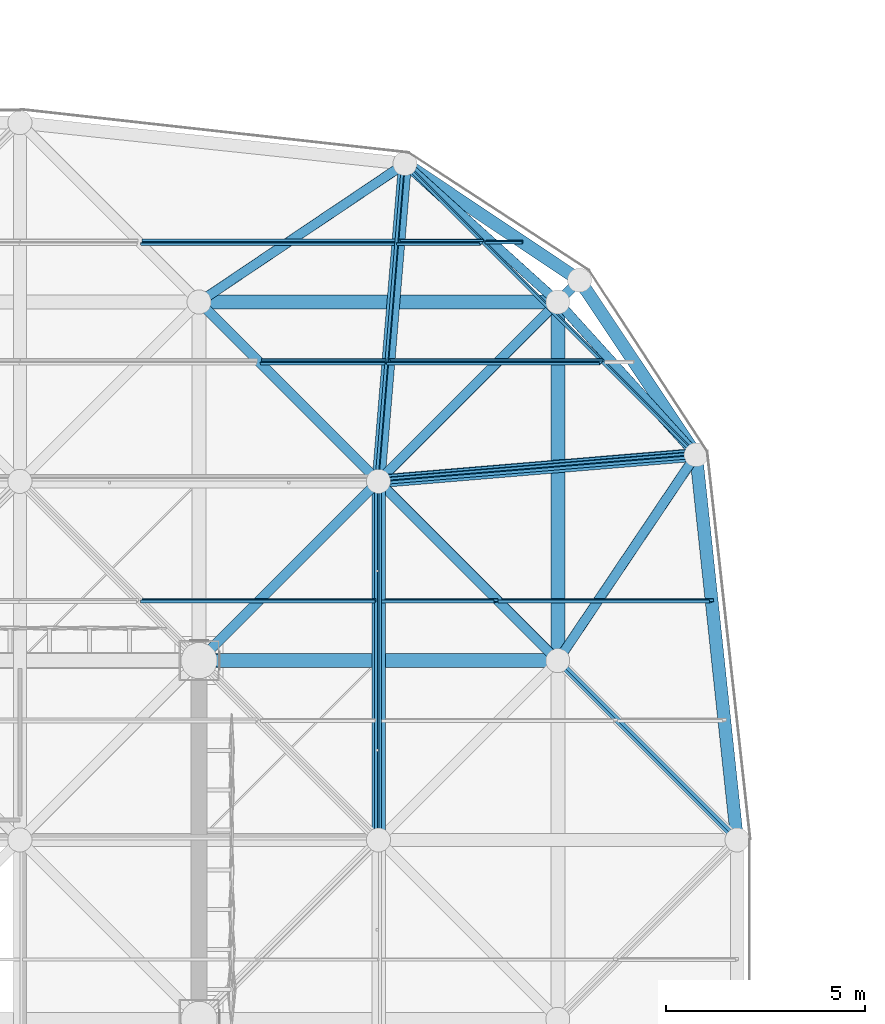
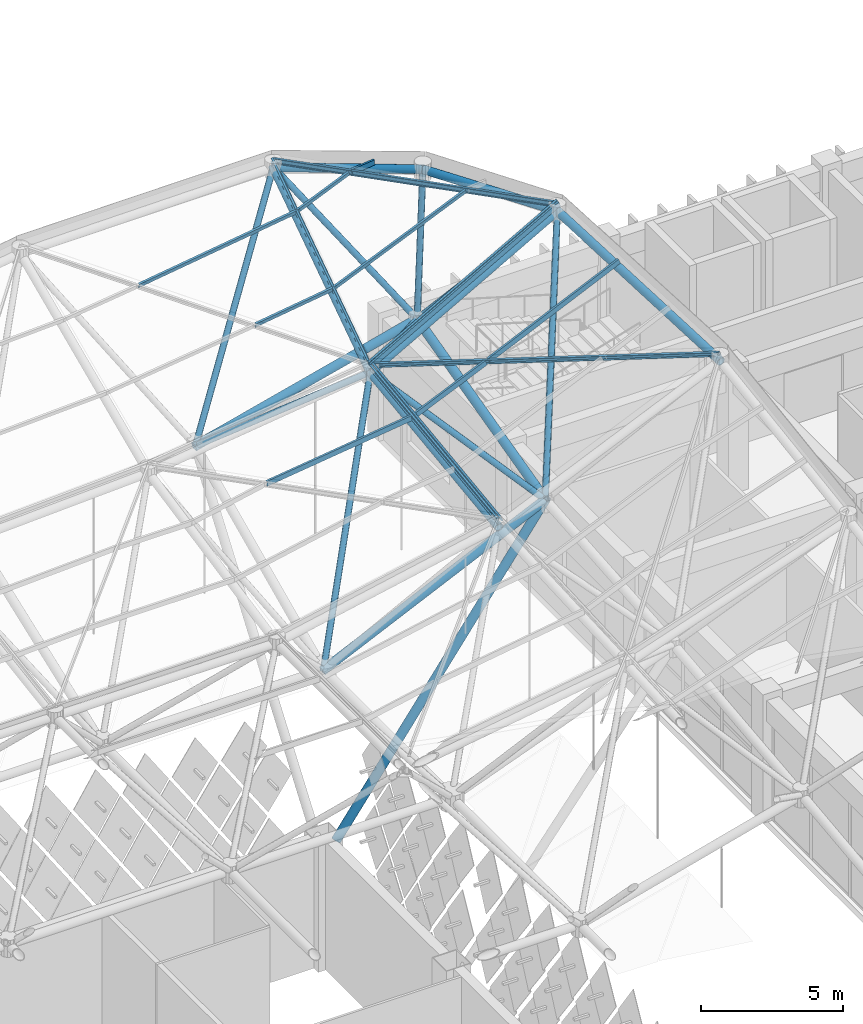
# One storey, part 209 of 437: 34 members.
"""IFC4 building model written with IfcOpenShell, lengths in metres."""

from ifc_helpers import new_model, si_unit, direction, frame, origin, origin_2d, place, context, subcontext, project, spatial, polyline, hollow_circle, outline, extrude, material, material_profile, profile_set, type_object, element, save


model = new_model("IFC4")

# Units and contexts
model_context = context("Model", 3, precision=1e-05, world=origin(), true_north=direction((0.0, 1.0)))
body_context = subcontext(model_context, "Body", "Model", "MODEL_VIEW")
ifc_project = project(units=[si_unit("LENGTHUNIT", "METRE"), si_unit("AREAUNIT", "SQUARE_METRE"), si_unit("VOLUMEUNIT", "CUBIC_METRE"), si_unit("PLANEANGLEUNIT", "RADIAN"), si_unit("MASSUNIT", "GRAM", prefix="KILO")], contexts=[model_context])

# Site, building, storey
site_placement = place(None, origin())
site = spatial("IfcSite", under=ifc_project, at=site_placement, CompositionType="ELEMENT")
building_placement = place(site_placement, origin())
building = spatial("IfcBuilding", under=site, at=building_placement, Name="Opaline Strait Convention Centre", CompositionType="ELEMENT")
storey_placement = place(building_placement, frame((0.0, 0.0, 11.5)))
storey = spatial("IfcBuildingStorey", under=building, at=storey_placement, Name="L02", CompositionType="ELEMENT", Elevation=11.5)

# Members
ifc_material = material(Name="Steel Q355B", Category="steel")
ifc_material_profile_1 = material_profile(ifc_material, hollow_circle(Radius=0.175537109375, WallThickness=0.01611328125, at=origin_2d()), Name="CHS 351x16")
ifc_profile_set_1 = profile_set([ifc_material_profile_1], Name="Steel Q355B")
member_type_1 = type_object("IfcMemberType", Name="Raking prop CHS 351x16", PredefinedType="BRACE", material=ifc_profile_set_1)
member_1_placement = place(storey_placement, frame((261.51611328125, 153.0, 5.02197265625), z_axis=(0.58919697761, 0.0, 0.807989431599), x_axis=(0.0, 1.0, 0.0)))
element("IfcMember", 1, at=member_1_placement, inside=storey, type_object=member_type_1, Name="Raking prop 261/153 E", PredefinedType="BRACE", context=body_context, shape_type="SweptSolid", body=[
    extrude(hollow_circle(Radius=0.175537109375, WallThickness=0.01611328125, at=origin_2d()), origin(), (0.0, 0.0, 1.0), 14.44921875),
])
ifc_material_profile_2 = material_profile(ifc_material, outline(polyline([(-0.03759765625, -0.125), (0.03759765625, -0.125), (0.03759765625, -0.10498046875), (0.034912109375, -0.10498046875), (0.034912109375, -0.12255859375), (-0.034912109375, -0.12255859375), (-0.034912109375, 0.12255859375), (0.034912109375, 0.12255859375), (0.034912109375, 0.10498046875), (0.03759765625, 0.10498046875), (0.03759765625, 0.125), (-0.03759765625, 0.125), (-0.03759765625, -0.125)])), Name="C 250x75x20x2.5")
ifc_profile_set_2 = profile_set([ifc_material_profile_2], Name="Steel Q355B")
member_type_2 = type_object("IfcMemberType", Name="Roof purlin C 250x75x20x2.5", PredefinedType="PURLIN", material=ifc_profile_set_2)
member_2_placement = place(storey_placement, frame((265.4599609375, 148.449951171875, 20.08447265625), z_axis=(0.0, 0.991630499032, 0.129108301009), x_axis=(-0.991770001337, 0.016530030007, -0.126960712644)))
element("IfcMember", 2, at=member_2_placement, inside=storey, type_object=member_type_2, Name="EXB-RF-E-19-12a", PredefinedType="PURLIN", context=body_context, shape_type="SweptSolid", body=[
    extrude(outline(polyline([(-0.03759765625, -0.125), (0.03759765625, -0.125), (0.03759765625, -0.10498046875), (0.034912109375, -0.10498046875), (0.034912109375, -0.12255859375), (-0.034912109375, -0.12255859375), (-0.034912109375, 0.12255859375), (0.034912109375, 0.12255859375), (0.034912109375, 0.10498046875), (0.03759765625, 0.10498046875), (0.03759765625, 0.125), (-0.03759765625, 0.125), (-0.03759765625, -0.125)])), origin(), (0.0, 0.0, 1.0), 9.177001953125),
])
member_3_placement = place(storey_placement, frame((259.550048828125, 154.5, 20.102783203125), z_axis=(0.991632318428, 0.0, 0.129094326171), x_axis=(-0.01666543434, 0.991632228384, 0.128014791835)))
element("IfcMember", 3, at=member_3_placement, inside=storey, type_object=member_type_2, Name="EXB-RF-P-19-12-1a", PredefinedType="PURLIN", context=body_context, shape_type="SweptSolid", body=[
    extrude(outline(polyline([(-0.03759765625, -0.125), (0.03759765625, -0.125), (0.03759765625, -0.10498046875), (0.034912109375, -0.10498046875), (0.034912109375, -0.12255859375), (-0.034912109375, -0.12255859375), (-0.034912109375, 0.12255859375), (0.034912109375, 0.12255859375), (0.034912109375, 0.10498046875), (0.03759765625, 0.10498046875), (0.03759765625, 0.125), (-0.03759765625, 0.125), (-0.03759765625, -0.125)])), origin(), (0.0, 0.0, 1.0), 5.925048828125),
])
member_4_placement = place(storey_placement, frame((274.5, 148.5, 24.065673828125), z_axis=(-0.690740022732, 0.690740022732, -0.213907554783), x_axis=(-0.602521591585, -0.713355387204, -0.357899180246)))
element("IfcMember", 4, at=member_4_placement, inside=storey, type_object=member_type_2, Name="EXB-RF-F-20-12", PredefinedType="PURLIN", context=body_context, shape_type="SweptSolid", body=[
    extrude(outline(polyline([(-0.03759765625, -0.125), (0.03759765625, -0.125), (0.03759765625, -0.10498046875), (0.034912109375, -0.10498046875), (0.034912109375, -0.12255859375), (-0.034912109375, -0.12255859375), (-0.034912109375, 0.12255859375), (0.034912109375, 0.12255859375), (0.034912109375, 0.10498046875), (0.03759765625, 0.10498046875), (0.03759765625, 0.125), (-0.03759765625, 0.125), (-0.03759765625, -0.125)])), origin(), (0.0, 0.0, 1.0), 13.029541015625),
])
member_5_placement = place(storey_placement, frame((265.45361328125, 157.4560546875, 21.251953125), z_axis=(0.903662565532, 0.075517033196, 0.42153427542), x_axis=(-0.123221130266, 0.988553259853, 0.087057483823)))
element("IfcMember", 5, at=member_5_placement, inside=storey, type_object=member_type_2, Name="EXB-RF-E-20-12a", PredefinedType="PURLIN", context=body_context, shape_type="SweptSolid", body=[
    extrude(outline(polyline([(-0.03759765625, -0.125), (0.03759765625, -0.125), (0.03759765625, -0.10498046875), (0.034912109375, -0.10498046875), (0.034912109375, -0.12255859375), (-0.034912109375, -0.12255859375), (-0.034912109375, 0.12255859375), (0.034912109375, 0.12255859375), (0.034912109375, 0.10498046875), (0.03759765625, 0.10498046875), (0.03759765625, 0.125), (-0.03759765625, 0.125), (-0.03759765625, -0.125)])), origin(), (0.0, 0.0, 1.0), 8.9326171875),
])
member_6_placement = place(storey_placement, frame((268.550048828125, 154.5, 22.230712890625), z_axis=(0.91042951865, 0.0, 0.413664225635), x_axis=(-0.059241297029, 0.989692168796, 0.130383586967)))
element("IfcMember", 6, at=member_6_placement, inside=storey, type_object=member_type_2, Name="EXB-RF-P-20-12-1a", PredefinedType="PURLIN", context=body_context, shape_type="SweptSolid", body=[
    extrude(outline(polyline([(-0.03759765625, -0.125), (0.03759765625, -0.125), (0.03759765625, -0.10498046875), (0.034912109375, -0.10498046875), (0.034912109375, -0.12255859375), (-0.034912109375, -0.12255859375), (-0.034912109375, 0.12255859375), (0.034912109375, 0.12255859375), (0.034912109375, 0.10498046875), (0.03759765625, 0.10498046875), (0.03759765625, 0.125), (-0.03759765625, 0.125), (-0.03759765625, -0.125)])), origin(), (0.0, 0.0, 1.0), 5.834716796875),
])
member_7_placement = place(storey_placement, frame((265.587890625, 148.449951171875, 20.138916015625), z_axis=(0.0, 0.991630499032, 0.129108301009), x_axis=(-0.916598046716, 0.051618787349, -0.39646377079)))
element("IfcMember", 7, at=member_7_placement, inside=storey, type_object=member_type_2, Name="EXB-RF-E-20-12b", PredefinedType="PURLIN", context=body_context, shape_type="SweptSolid", body=[
    extrude(outline(polyline([(-0.03759765625, -0.125), (0.03759765625, -0.125), (0.03759765625, -0.10498046875), (0.034912109375, -0.10498046875), (0.034912109375, -0.12255859375), (-0.034912109375, -0.12255859375), (-0.034912109375, 0.12255859375), (0.034912109375, 0.12255859375), (0.034912109375, 0.10498046875), (0.03759765625, 0.10498046875), (0.03759765625, 0.125), (-0.03759765625, 0.125), (-0.03759765625, -0.125)])), origin(), (0.0, 0.0, 1.0), 9.177001953125),
])
member_8_placement = place(storey_placement, frame((265.62255859375, 154.5, 20.94140625), z_axis=(0.915362810246, 0.0, 0.402630010827), x_axis=(-0.051977528429, 0.991632228384, 0.118168778316)))
element("IfcMember", 8, at=member_8_placement, inside=storey, type_object=member_type_2, Name="EXB-RF-P-20-12-1b", PredefinedType="PURLIN", context=body_context, shape_type="SweptSolid", body=[
    extrude(outline(polyline([(-0.03759765625, -0.125), (0.03759765625, -0.125), (0.03759765625, -0.10498046875), (0.034912109375, -0.10498046875), (0.034912109375, -0.12255859375), (-0.034912109375, -0.12255859375), (-0.034912109375, 0.12255859375), (0.034912109375, 0.12255859375), (0.034912109375, 0.10498046875), (0.03759765625, 0.10498046875), (0.03759765625, 0.125), (-0.03759765625, 0.125), (-0.03759765625, -0.125)])), origin(), (0.0, 0.0, 1.0), 3.0888671875),
])
member_9_placement = place(storey_placement, frame((265.4560546875, 157.45361328125, 21.244140625), z_axis=(0.075517033196, 0.903662565532, 0.42153427542), x_axis=(-0.988553259853, 0.123221130266, -0.087057483823)))
element("IfcMember", 9, at=member_9_placement, inside=storey, type_object=member_type_2, Name="EXB-RF-E-19-13a", PredefinedType="PURLIN", context=body_context, shape_type="SweptSolid", body=[
    extrude(outline(polyline([(-0.03759765625, -0.125), (0.03759765625, -0.125), (0.03759765625, -0.10498046875), (0.034912109375, -0.10498046875), (0.034912109375, -0.12255859375), (-0.034912109375, -0.12255859375), (-0.034912109375, 0.12255859375), (0.034912109375, 0.12255859375), (0.034912109375, 0.10498046875), (0.03759765625, 0.10498046875), (0.03759765625, 0.125), (-0.03759765625, 0.125), (-0.03759765625, -0.125)])), origin(), (0.0, 0.0, 1.0), 8.9326171875),
])
member_10_placement = place(storey_placement, frame((262.550048828125, 160.5, 22.207763671875), z_axis=(0.989689677685, 0.0, 0.143228285907), x_axis=(-0.059251320781, 0.91042030985, 0.409419272139)))
element("IfcMember", 10, at=member_10_placement, inside=storey, type_object=member_type_2, Name="EXB-RF-P-19-13-0a", PredefinedType="PURLIN", context=body_context, shape_type="SweptSolid", body=[
    extrude(outline(polyline([(-0.03759765625, -0.125), (0.03759765625, -0.125), (0.03759765625, -0.10498046875), (0.034912109375, -0.10498046875), (0.034912109375, -0.12255859375), (-0.034912109375, -0.12255859375), (-0.034912109375, 0.12255859375), (0.034912109375, 0.12255859375), (0.034912109375, 0.10498046875), (0.03759765625, 0.10498046875), (0.03759765625, 0.125), (-0.03759765625, 0.125), (-0.03759765625, -0.125)])), origin(), (0.0, 0.0, 1.0), 3.158447265625),
])
member_11_placement = place(storey_placement, frame((259.550048828125, 163.5, 23.13671875), z_axis=(0.989688643151, 0.0, 0.143235434226), x_axis=(-0.059254277929, 0.91042030985, 0.409418844169)))
element("IfcMember", 11, at=member_11_placement, inside=storey, type_object=member_type_2, Name="EXB-RF-P-19-13-1a", PredefinedType="PURLIN", context=body_context, shape_type="SweptSolid", body=[
    extrude(outline(polyline([(-0.03759765625, -0.125), (0.03759765625, -0.125), (0.03759765625, -0.10498046875), (0.034912109375, -0.10498046875), (0.034912109375, -0.12255859375), (-0.034912109375, -0.12255859375), (-0.034912109375, 0.12255859375), (0.034912109375, 0.12255859375), (0.034912109375, 0.10498046875), (0.03759765625, 0.10498046875), (0.03759765625, 0.125), (-0.03759765625, 0.125), (-0.03759765625, -0.125)])), origin(), (0.0, 0.0, 1.0), 6.44287109375),
])
member_12_placement = place(storey_placement, frame((273.472412109375, 158.166259765625, 24.986328125), z_axis=(-0.707106781187, 0.707106781187, 0.0), x_axis=(-0.699649356135, -0.699649356135, -0.144850118812)))
element("IfcMember", 12, at=member_12_placement, inside=storey, type_object=member_type_2, Name="EXB-RF-F-20-13", PredefinedType="PURLIN", context=body_context, shape_type="SweptSolid", body=[
    extrude(outline(polyline([(-0.03759765625, -0.125), (0.03759765625, -0.125), (0.03759765625, -0.10498046875), (0.034912109375, -0.10498046875), (0.034912109375, -0.12255859375), (-0.034912109375, -0.12255859375), (-0.034912109375, 0.12255859375), (0.034912109375, 0.12255859375), (0.034912109375, 0.10498046875), (0.03759765625, 0.10498046875), (0.03759765625, 0.125), (-0.03759765625, 0.125), (-0.03759765625, -0.125)])), origin(), (0.0, 0.0, 1.0), 10.33251953125),
])
member_13_placement = place(storey_placement, frame((268.188720703125, 163.5, 24.991455078125), z_axis=(0.994687182031, 0.0, 0.102943722017), x_axis=(-0.010599718065, 0.994684861285, 0.102419103235)))
element("IfcMember", 13, at=member_13_placement, inside=storey, type_object=member_type_2, Name="EXB-RF-P-20-13-1a", PredefinedType="PURLIN", context=body_context, shape_type="SweptSolid", body=[
    extrude(outline(polyline([(-0.03759765625, -0.125), (0.03759765625, -0.125), (0.03759765625, -0.10498046875), (0.034912109375, -0.10498046875), (0.034912109375, -0.12255859375), (-0.034912109375, -0.12255859375), (-0.034912109375, 0.12255859375), (0.034912109375, 0.12255859375), (0.034912109375, 0.10498046875), (0.03759765625, 0.10498046875), (0.03759765625, 0.125), (-0.03759765625, 0.125), (-0.03759765625, -0.125)])), origin(), (0.0, 0.0, 1.0), 0.934326171875),
])
member_14_placement = place(storey_placement, frame((265.443603515625, 157.575927734375, 21.2900390625), z_axis=(0.903652154116, 0.075516163138, 0.421556749995), x_axis=(-0.21951530941, 0.926866293842, 0.304519132854)))
element("IfcMember", 14, at=member_14_placement, inside=storey, type_object=member_type_2, Name="EXB-RF-E-20-13b", PredefinedType="PURLIN", context=body_context, shape_type="SweptSolid", body=[
    extrude(outline(polyline([(-0.03759765625, -0.125), (0.03759765625, -0.125), (0.03759765625, -0.10498046875), (0.034912109375, -0.10498046875), (0.034912109375, -0.12255859375), (-0.034912109375, -0.12255859375), (-0.034912109375, 0.12255859375), (0.034912109375, 0.12255859375), (0.034912109375, 0.10498046875), (0.03759765625, 0.10498046875), (0.03759765625, 0.125), (-0.03759765625, 0.125), (-0.03759765625, -0.125)])), origin(), (0.0, 0.0, 1.0), 8.9326171875),
])
member_15_placement = place(storey_placement, frame((265.750732421875, 160.5, 22.679931640625), z_axis=(0.918494082371, 0.0, 0.395434723626), x_axis=(-0.156362348604, 0.918500910826, 0.363189885253)))
element("IfcMember", 15, at=member_15_placement, inside=storey, type_object=member_type_2, Name="EXB-RF-P-20-13-0b", PredefinedType="PURLIN", context=body_context, shape_type="SweptSolid", body=[
    extrude(outline(polyline([(-0.03759765625, -0.125), (0.03759765625, -0.125), (0.03759765625, -0.10498046875), (0.034912109375, -0.10498046875), (0.034912109375, -0.12255859375), (-0.034912109375, -0.12255859375), (-0.034912109375, 0.12255859375), (0.034912109375, 0.12255859375), (0.034912109375, 0.10498046875), (0.03759765625, 0.10498046875), (0.03759765625, 0.125), (-0.03759765625, 0.125), (-0.03759765625, -0.125)])), origin(), (0.0, 0.0, 1.0), 5.8115234375),
])
member_16_placement = place(storey_placement, frame((266.00146484375, 163.5, 24.079345703125), z_axis=(0.918476864134, 0.0, 0.395474714806), x_axis=(-0.156378161871, 0.918500910826, 0.363183076837)))
element("IfcMember", 16, at=member_16_placement, inside=storey, type_object=member_type_2, Name="EXB-RF-P-20-13-1b", PredefinedType="PURLIN", context=body_context, shape_type="SweptSolid", body=[
    extrude(outline(polyline([(-0.03759765625, -0.125), (0.03759765625, -0.125), (0.03759765625, -0.10498046875), (0.034912109375, -0.10498046875), (0.034912109375, -0.12255859375), (-0.034912109375, -0.12255859375), (-0.034912109375, 0.12255859375), (0.034912109375, 0.12255859375), (0.034912109375, 0.10498046875), (0.03759765625, 0.10498046875), (0.03759765625, 0.125), (-0.03759765625, 0.125), (-0.03759765625, -0.125)])), origin(), (0.0, 0.0, 1.0), 2.2724609375),
])
ifc_material_profile_3 = material_profile(ifc_material, hollow_circle(Radius=0.175537109375, WallThickness=0.01611328125, at=origin_2d()), Name="CHS 351x16")
ifc_profile_set_3 = profile_set([ifc_material_profile_3], Name="Steel Q355B")
member_type_3 = type_object("IfcMemberType", Name="Space frame bottom chord CHS 351x16", PredefinedType="CHORD", material=ifc_profile_set_3)
member_17_placement = place(storey_placement, frame((260.95458984375, 153.0, 12.47900390625), z_axis=(0.907855885671, 0.0, 0.419282352183), x_axis=(0.0, 1.0, 0.0)))
element("IfcMember", 17, at=member_17_placement, inside=storey, type_object=member_type_3, Name="EXB-RF-BX-19-12", PredefinedType="CHORD", context=body_context, shape_type="SweptSolid", body=[
    extrude(hollow_circle(Radius=0.175537109375, WallThickness=0.01611328125, at=origin_2d()), origin(), (0.0, 0.0, 1.0), 10.013427734375),
])
for number, where, z_axis, x_axis, name in (
    (18, (260.95166015625, 162.0, 16.64404296875), (0.968974979118, 0.0, 0.247158835253), (0.0, 1.0, 0.0), "EXB-RF-BX-19-13"),
    (19, (270.0, 152.95166015625, 16.64404296875), (0.0, 0.968974979118, 0.247158835253), (-1.0, 0.0, 0.0), "EXB-RF-BY-20-12"),
):
    element("IfcMember", number, at=place(storey_placement, frame(where, z_axis=z_axis, x_axis=x_axis)), inside=storey, type_object=member_type_3, Name=name, PredefinedType="CHORD", context=body_context, shape_type="SweptSolid", body=[
        extrude(hollow_circle(Radius=0.175537109375, WallThickness=0.01611328125, at=origin_2d()), origin(), (0.0, 0.0, 1.0), 9.387939453125),
    ])
ifc_material_profile_4 = material_profile(ifc_material, hollow_circle(Radius=0.16259765625, WallThickness=0.013916015625, at=origin_2d()), Name="CHS 325x14")
ifc_profile_set_4 = profile_set([ifc_material_profile_4], Name="Steel Q355B")
member_type_4 = type_object("IfcMemberType", Name="Space frame top chord CHS 325x14", PredefinedType="CHORD", material=ifc_profile_set_4)
for number, where, z_axis, x_axis, name in (
    (20, (266.124755859375, 165.500244140625, 24.698486328125), (0.83110196842, -0.555386538883, 0.028553642769), (0.555613083664, 0.83144097882, 0.0), "EXB-RF-TX-20-14"),
    (21, (273.500244140625, 158.124755859375, 24.698486328125), (-0.555386538883, 0.83110196842, 0.028553642769), (-0.83144097882, -0.555613083664, 0.0), "EXB-RF-TY-21-13"),
):
    element("IfcMember", number, at=place(storey_placement, frame(where, z_axis=z_axis, x_axis=x_axis)), inside=storey, type_object=member_type_4, Name=name, PredefinedType="CHORD", context=body_context, shape_type="SweptSolid", body=[
        extrude(hollow_circle(Radius=0.16259765625, WallThickness=0.013916015625, at=origin_2d()), origin(), (0.0, 0.0, 1.0), 5.36962890625),
    ])
ifc_material_profile_5 = material_profile(ifc_material, hollow_circle(Radius=0.16259765625, WallThickness=0.02001953125, at=origin_2d()), Name="CHS 325x20")
ifc_profile_set_5 = profile_set([ifc_material_profile_5], Name="Steel Q355B")
member_type_5 = type_object("IfcMemberType", Name="Space frame top chord CHS 325x20", PredefinedType="CHORD", material=ifc_profile_set_5)
member_18_placement = place(storey_placement, frame((265.454833984375, 157.496337890625, 20.9599609375), z_axis=(0.903666960961, 0.075494841644, 0.421528827664), x_axis=(-0.083252748903, 0.996528464119, 0.0)))
element("IfcMember", 22, at=member_18_placement, inside=storey, type_object=member_type_5, Name="EXB-RF-TX-20-13", PredefinedType="CHORD", context=body_context, shape_type="SweptSolid", body=[
    extrude(hollow_circle(Radius=0.16259765625, WallThickness=0.02001953125, at=origin_2d()), origin(), (0.0, 0.0, 1.0), 8.92236328125),
])
member_19_placement = place(storey_placement, frame((265.5, 148.450439453125, 19.802978515625), z_axis=(0.0, 0.991632131326, 0.129095763381), x_axis=(-1.0, 0.0, 0.0)))
element("IfcMember", 23, at=member_19_placement, inside=storey, type_object=member_type_5, Name="EXB-RF-TY-20-12", PredefinedType="CHORD", context=body_context, shape_type="SweptSolid", body=[
    extrude(hollow_circle(Radius=0.16259765625, WallThickness=0.02001953125, at=origin_2d()), origin(), (0.0, 0.0, 1.0), 9.176025390625),
])
member_20_placement = place(storey_placement, frame((265.496337890625, 157.454833984375, 20.9599609375), z_axis=(0.075494841644, 0.903666960961, 0.421528827664), x_axis=(-0.996528464119, 0.083252748903, 0.0)))
element("IfcMember", 24, at=member_20_placement, inside=storey, type_object=member_type_5, Name="EXB-RF-TY-20-13", PredefinedType="CHORD", context=body_context, shape_type="SweptSolid", body=[
    extrude(hollow_circle(Radius=0.16259765625, WallThickness=0.02001953125, at=origin_2d()), origin(), (0.0, 0.0, 1.0), 8.92236328125),
])
member_21_placement = place(storey_placement, frame((274.50537109375, 148.450439453125, 23.763427734375), z_axis=(-0.105249170228, 0.989856938619, 0.095424594498), x_axis=(-0.994394698376, -0.105731659596, 0.0)))
element("IfcMember", 25, at=member_21_placement, inside=storey, type_object=member_type_5, Name="EXB-RF-TY-21-12", PredefinedType="CHORD", context=body_context, shape_type="SweptSolid", body=[
    extrude(hollow_circle(Radius=0.16259765625, WallThickness=0.02001953125, at=origin_2d()), origin(), (0.0, 0.0, 1.0), 9.865478515625),
])
ifc_material_profile_6 = material_profile(ifc_material, hollow_circle(Radius=0.12255859375, WallThickness=0.011962890625, at=origin_2d()), Name="CHS 245x12")
ifc_profile_set_6 = profile_set([ifc_material_profile_6], Name="Steel Q355B")
member_type_6 = type_object("IfcMemberType", Name="Space frame web CHS 245x12", PredefinedType="BRACE", material=ifc_profile_set_6)
member_22_placement = place(storey_placement, frame((265.521240234375, 157.521240234375, 21.02099609375), z_axis=(-0.424401940737, -0.424401940737, -0.799853727501), x_axis=(0.707106781187, -0.707106781187, 0.0)))
element("IfcMember", 26, at=member_22_placement, inside=storey, type_object=member_type_6, Name="EXB-RF-W-19-12-11", PredefinedType="BRACE", context=body_context, shape_type="SweptSolid", body=[
    extrude(hollow_circle(Radius=0.12255859375, WallThickness=0.011962890625, at=origin_2d()), origin(), (0.0, 0.0, 1.0), 10.703369140625),
])
member_23_placement = place(storey_placement, frame((265.529296875, 157.470703125, 21.009033203125), z_axis=(-0.584861382304, 0.584861382304, -0.56202698065), x_axis=(-0.707106781187, -0.707106781187, 0.0)))
element("IfcMember", 27, at=member_23_placement, inside=storey, type_object=member_type_6, Name="EXB-RF-W-19-13-10", PredefinedType="BRACE", context=body_context, shape_type="SweptSolid", body=[
    extrude(hollow_circle(Radius=0.12255859375, WallThickness=0.011962890625, at=origin_2d()), origin(), (0.0, 0.0, 1.0), 7.79443359375),
])
member_24_placement = place(storey_placement, frame((266.191650390625, 165.489501953125, 24.739501953125), z_axis=(-0.507948056004, -0.341413165258, -0.790838683292), x_axis=(0.557842176895, -0.829947049924, 0.0)))
element("IfcMember", 28, at=member_24_placement, inside=storey, type_object=member_type_6, Name="EXB-RF-W-19-13-11", PredefinedType="BRACE", context=body_context, shape_type="SweptSolid", body=[
    extrude(hollow_circle(Radius=0.12255859375, WallThickness=0.011962890625, at=origin_2d()), origin(), (0.0, 0.0, 1.0), 10.270751953125),
])
member_25_placement = place(storey_placement, frame((265.470703125, 157.529296875, 21.009033203125), z_axis=(0.584861382304, -0.584861382304, -0.56202698065), x_axis=(0.707106781187, 0.707106781187, 0.0)))
element("IfcMember", 29, at=member_25_placement, inside=storey, type_object=member_type_6, Name="EXB-RF-W-20-12-01", PredefinedType="BRACE", context=body_context, shape_type="SweptSolid", body=[
    extrude(hollow_circle(Radius=0.12255859375, WallThickness=0.011962890625, at=origin_2d()), origin(), (0.0, 0.0, 1.0), 7.79443359375),
])
member_26_placement = place(storey_placement, frame((273.489501953125, 158.191650390625, 24.739501953125), z_axis=(-0.341413165258, -0.507948056004, -0.790838683292), x_axis=(0.829947049924, -0.557842176895, 0.0)))
element("IfcMember", 30, at=member_26_placement, inside=storey, type_object=member_type_6, Name="EXB-RF-W-20-12-11", PredefinedType="BRACE", context=body_context, shape_type="SweptSolid", body=[
    extrude(hollow_circle(Radius=0.12255859375, WallThickness=0.011962890625, at=origin_2d()), origin(), (0.0, 0.0, 1.0), 10.270751953125),
])
member_27_placement = place(storey_placement, frame((265.46630859375, 157.46630859375, 20.996337890625), z_axis=(0.673688980386, 0.673688980386, -0.303786628102), x_axis=(-0.707106781187, 0.707106781187, 0.0)))
element("IfcMember", 31, at=member_27_placement, inside=storey, type_object=member_type_6, Name="EXB-RF-W-20-13-00", PredefinedType="BRACE", context=body_context, shape_type="SweptSolid", body=[
    extrude(hollow_circle(Radius=0.12255859375, WallThickness=0.011962890625, at=origin_2d()), origin(), (0.0, 0.0, 1.0), 6.779541015625),
])
for number, where, z_axis, x_axis, name in (
    (32, (266.141357421875, 165.494873046875, 24.737060546875), (0.495807143415, -0.449053467982, -0.743321101161), (0.671296337205, 0.741189063367, 0.0), "EXB-RF-W-20-13-01"),
    (33, (273.494873046875, 158.141357421875, 24.737060546875), (-0.449053467982, 0.495807143415, -0.743321101161), (-0.741189063367, -0.671296337205, 0.0), "EXB-RF-W-20-13-10"),
):
    element("IfcMember", number, at=place(storey_placement, frame(where, z_axis=z_axis, x_axis=x_axis)), inside=storey, type_object=member_type_6, Name=name, PredefinedType="BRACE", context=body_context, shape_type="SweptSolid", body=[
        extrude(hollow_circle(Radius=0.12255859375, WallThickness=0.011962890625, at=origin_2d()), origin(), (0.0, 0.0, 1.0), 7.832763671875),
    ])
member_28_placement = place(storey_placement, frame((270.550537109375, 162.550537109375, 24.89990234375), z_axis=(-0.091783840442, -0.091783840442, -0.991539940329), x_axis=(0.707106781187, -0.707106781187, 0.0)))
element("IfcMember", 34, at=member_28_placement, inside=storey, type_object=member_type_6, Name="EXB-RF-W-20-13-11", PredefinedType="BRACE", context=body_context, shape_type="SweptSolid", body=[
    extrude(hollow_circle(Radius=0.12255859375, WallThickness=0.011962890625, at=origin_2d()), origin(), (0.0, 0.0, 1.0), 6.048828125),
])

save(model, "model.ifc")
